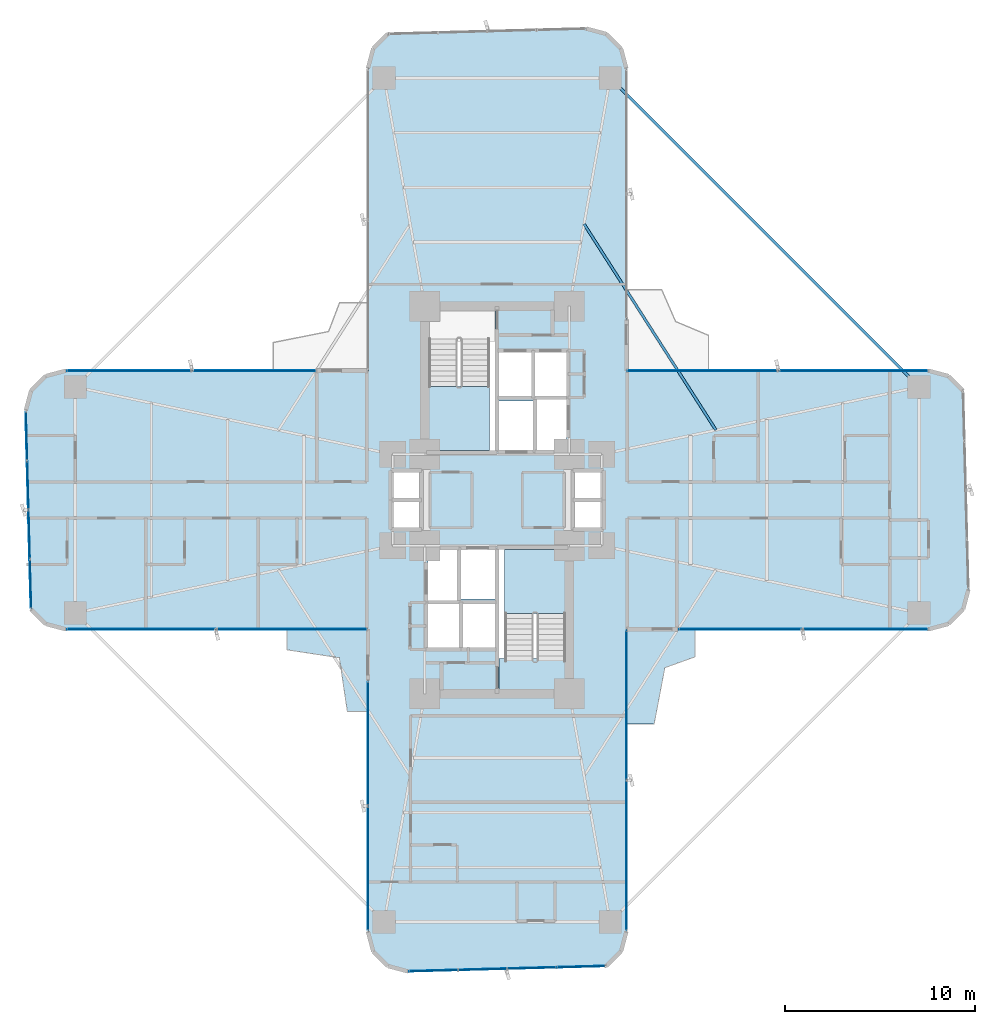
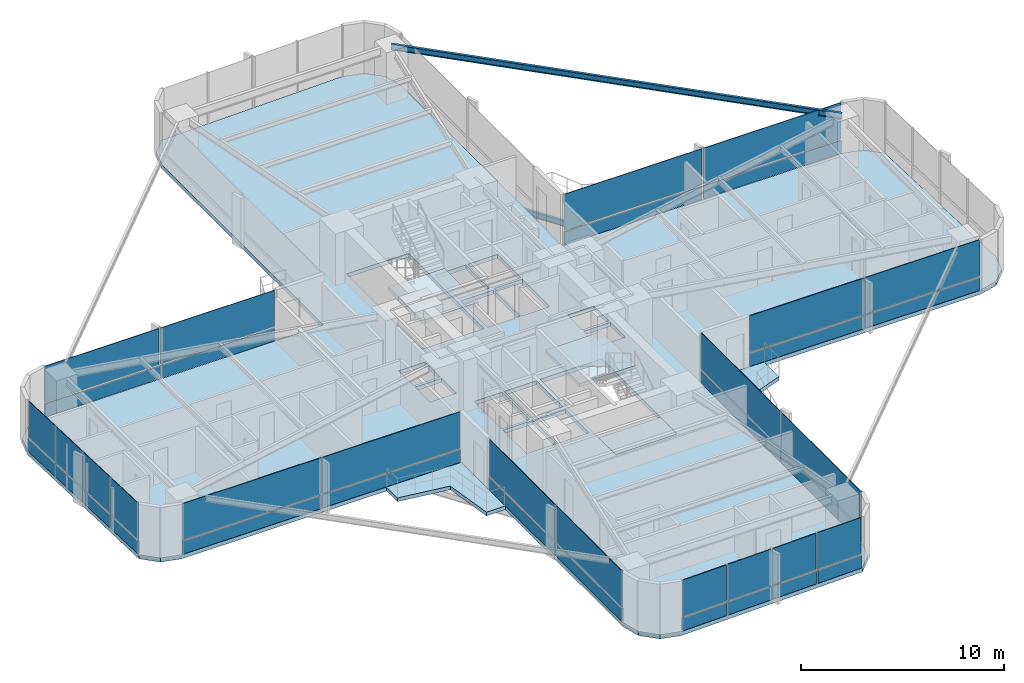
# One storey, part 20 of 25: 40 plates, 6 slabs, 2 beams, 10 elements without a shape of their own.
"""IFC4 building model written with IfcOpenShell, lengths in metres."""

from ifc_helpers import new_model, si_unit, direction, frame, origin, origin_2d, place, context, subcontext, project, spatial, polyline, rectangle, i_section, outline, extrude, source, transform, mapped, material, layer, layer_set, material_profile, profile_set, type_object, element, aggregate, save


model = new_model("IFC4")

# Units and contexts
model_context = context("Model", 3, precision=1e-05, world=origin(), true_north=direction((0.0, 1.0)))
body_context = subcontext(model_context, "Body", "Model", "MODEL_VIEW")
ifc_project = project(units=[si_unit("LENGTHUNIT", "METRE"), si_unit("AREAUNIT", "SQUARE_METRE"), si_unit("VOLUMEUNIT", "CUBIC_METRE"), si_unit("PLANEANGLEUNIT", "RADIAN"), si_unit("MASSUNIT", "GRAM", prefix="KILO")], contexts=[model_context])

# Site, building, storey
site_placement = place(None, origin())
site = spatial("IfcSite", under=ifc_project, at=site_placement, CompositionType="ELEMENT")
building_placement = place(site_placement, origin())
building = spatial("IfcBuilding", under=site, at=building_placement, Name="Sahyath Konkavel Grand Hotel", CompositionType="ELEMENT")
storey_placement = place(building_placement, frame((0.0, 0.0, 33.14990234375)))
storey = spatial("IfcBuildingStorey", under=building, at=storey_placement, Name="L08", CompositionType="ELEMENT", Elevation=33.14990234375)

# Beams
ifc_material_1 = material(Name="Steel E350", Category="steel")
ifc_material_profile_1 = material_profile(ifc_material_1, i_section(OverallWidth=0.139892578125, OverallDepth=0.35009765625, WebThickness=0.008056640625, FlangeThickness=0.01416015625, FilletRadius=0.013916015625, at=origin_2d()), Name="ISMB 350")
ifc_profile_set_1 = profile_set([ifc_material_profile_1], Name="Steel E350")
beam_type_1 = type_object("IfcBeamType", Name="BM-ISMB350", PredefinedType="BEAM", material=ifc_profile_set_1)
shared_shape_1 = source(origin(), body_context, "Body", "SweptSolid", [
    extrude(i_section(OverallWidth=0.139892578125, OverallDepth=0.35009765625, WebThickness=0.008056640625, FlangeThickness=0.01416015625, FilletRadius=0.013916015625, at=origin_2d()), origin(), (0.0, 0.0, 1.0), 22.98095703125),
])
beam_1_placement = place(storey_placement, frame((22.199951171875, 5.949951171875, 2.93505859375), z_axis=(-0.707106781187, 0.707106781187, 0.0), x_axis=(-0.707106781187, -0.707106781187, 0.0)))
element("IfcBeam", 1, at=beam_1_placement, inside=storey, type_object=beam_type_1, Name="L08 Re-Entrant Tie Beam NE", PredefinedType="BEAM", context=body_context, shape_type="MappedRepresentation", body=[
    mapped(shared_shape_1, transform((0.0, 0.0, 0.0), scale=1.0)),
])
ifc_material_profile_2 = material_profile(ifc_material_1, i_section(OverallWidth=0.139892578125, OverallDepth=0.35009765625, WebThickness=0.008056640625, FlangeThickness=0.01416015625, FilletRadius=0.013916015625, at=origin_2d()), Name="ISMB 350")
ifc_profile_set_2 = profile_set([ifc_material_profile_2], Name="Steel E350")
beam_type_2 = type_object("IfcBeamType", Name="BM-BALC-CANT", PredefinedType="BEAM", material=ifc_profile_set_2)
shared_shape_2 = source(origin(), body_context, "Body", "SweptSolid", [
    extrude(i_section(OverallWidth=0.139892578125, OverallDepth=0.35009765625, WebThickness=0.008056640625, FlangeThickness=0.01416015625, FilletRadius=0.013916015625, at=origin_2d()), origin(), (0.0, 0.0, 1.0), 12.871826171875),
])
beam_2_placement = place(storey_placement, frame((11.511962890625, 3.677978515625, -0.414794921875), z_axis=(-0.539003102535, 0.842303778608, 0.0), x_axis=(-0.842303778608, -0.539003102535, 0.0)))
element("IfcBeam", 2, at=beam_2_placement, inside=storey, type_object=beam_type_2, Name="L08 Balcony Cantilever Support Beam NE", PredefinedType="BEAM", context=body_context, shape_type="MappedRepresentation", body=[
    mapped(shared_shape_2, transform((0.0, 0.0, 0.0), scale=1.0)),
])

# Slabs
ifc_material_2 = material(Name="Concrete C40/50", Category="concrete")
ifc_layer_1 = layer(ifc_material_2, 0.239990234375)
ifc_layer_set_1 = layer_set([ifc_layer_1], Name="Concrete C40/50")
slab_type_1 = type_object("IfcSlabType", Name="SLB-240", PredefinedType="FLOOR", material=ifc_layer_set_1)
slab_1_placement = place(storey_placement, frame((0.0, 0.0, -0.239990234375)))
element("IfcSlab", 3, at=slab_1_placement, inside=storey, type_object=slab_type_1, Name="L08 Structural Floor Slab", PredefinedType="FLOOR", context=body_context, shape_type="SweptSolid", body=[
    extrude(outline(polyline([(6.800048828125, -6.800048828125), (22.699951171875, -6.800048828125), (23.75, -6.518798828125), (24.518798828125, -5.75), (24.800048828125, -4.699951171875), (24.518798828125, 5.75), (23.75, 6.518798828125), (22.699951171875, 6.800048828125), (6.800048828125, 6.800048828125), (6.800048828125, 22.699951171875), (6.518798828125, 23.75), (5.75, 24.518798828125), (4.699951171875, 24.800048828125), (-5.75, 24.518798828125), (-6.518798828125, 23.75), (-6.800048828125, 22.699951171875), (-6.800048828125, 6.800048828125), (-22.699951171875, 6.800048828125), (-23.75, 6.518798828125), (-24.518798828125, 5.75), (-24.800048828125, 4.699951171875), (-24.518798828125, -5.75), (-23.75, -6.518798828125), (-22.699951171875, -6.800048828125), (-6.800048828125, -6.800048828125), (-6.800048828125, -22.699951171875), (-6.518798828125, -23.75), (-5.75, -24.518798828125), (-4.699951171875, -24.800048828125), (5.75, -24.518798828125), (6.518798828125, -23.75), (6.800048828125, -22.699951171875), (6.800048828125, -6.800048828125)]), holes=[polyline([(-3.6201171875, 2.580078125), (-0.10009765625, 2.580078125), (-0.10009765625, 10.02001953125), (-3.6201171875, 10.02001953125), (-3.6201171875, 2.580078125)]), polyline([(0.10009765625, -10.02001953125), (3.6201171875, -10.02001953125), (3.6201171875, -2.580078125), (0.10009765625, -2.580078125), (0.10009765625, -10.02001953125)]), polyline([(0.10009765625, 2.60009765625), (1.949951171875, 2.60009765625), (1.949951171875, 5.199951171875), (0.10009765625, 5.199951171875), (0.10009765625, 2.60009765625)]), polyline([(-1.949951171875, -5.199951171875), (-0.10009765625, -5.199951171875), (-0.10009765625, -2.60009765625), (-1.949951171875, -2.60009765625), (-1.949951171875, -5.199951171875)]), polyline([(2.050048828125, 2.60009765625), (3.64990234375, 2.60009765625), (3.64990234375, 5.300048828125), (2.050048828125, 5.300048828125), (2.050048828125, 2.60009765625)]), polyline([(-3.64990234375, -5.300048828125), (-2.050048828125, -5.300048828125), (-2.050048828125, -2.60009765625), (-3.64990234375, -2.60009765625), (-3.64990234375, -5.300048828125)]), polyline([(0.10009765625, 5.449951171875), (1.85009765625, 5.449951171875), (1.85009765625, 7.75), (0.10009765625, 7.75), (0.10009765625, 5.449951171875)]), polyline([(1.949951171875, 5.449951171875), (3.64990234375, 5.449951171875), (3.64990234375, 7.75), (1.949951171875, 7.75), (1.949951171875, 5.449951171875)]), polyline([(-3.64990234375, -7.75), (-1.949951171875, -7.75), (-1.949951171875, -5.449951171875), (-3.64990234375, -5.449951171875), (-3.64990234375, -7.75)]), polyline([(-1.85009765625, -7.75), (-0.10009765625, -7.75), (-0.10009765625, -5.449951171875), (-1.85009765625, -5.449951171875), (-1.85009765625, -7.75)]), polyline([(4.050048828125, 0.080078125), (5.550048828125, 0.080078125), (5.550048828125, 1.5400390625), (4.050048828125, 1.5400390625), (4.050048828125, 0.080078125)]), polyline([(4.050048828125, -1.5400390625), (5.550048828125, -1.5400390625), (5.550048828125, -0.080078125), (4.050048828125, -0.080078125), (4.050048828125, -1.5400390625)]), polyline([(-5.550048828125, 0.080078125), (-4.050048828125, 0.080078125), (-4.050048828125, 1.5400390625), (-5.550048828125, 1.5400390625), (-5.550048828125, 0.080078125)]), polyline([(-5.550048828125, -1.5400390625), (-4.050048828125, -1.5400390625), (-4.050048828125, -0.080078125), (-5.550048828125, -0.080078125), (-5.550048828125, -1.5400390625)])]), origin(), (0.0, 0.0, 1.0), 0.239990234375),
])
ifc_layer_2 = layer(ifc_material_2, 0.219970703125)
ifc_layer_set_2 = layer_set([ifc_layer_2], Name="Concrete C40/50")
slab_type_2 = type_object("IfcSlabType", Name="SLB-BALCONY-220", PredefinedType="FLOOR", material=ifc_layer_set_2)
slab_2_placement = place(storey_placement, frame((0.0, 0.0, -0.219970703125)))
element("IfcSlab", 4, at=slab_2_placement, inside=storey, type_object=slab_type_2, Name="L08 Winter-Garden Balcony SW", PredefinedType="FLOOR", context=body_context, shape_type="SweptSolid", body=[
    extrude(outline(polyline([(-6.800048828125, -6.800048828125), (-11.06689453125, -6.800048828125), (-11.06689453125, -7.880615234375), (-8.301025390625, -8.301025390625), (-7.880615234375, -11.133056640625), (-6.800048828125, -11.133056640625), (-6.800048828125, -6.800048828125)])), origin(), (0.0, 0.0, 1.0), 0.219970703125),
])
slab_3_placement = place(storey_placement, frame((0.0, 0.0, -0.219970703125)))
element("IfcSlab", 5, at=slab_3_placement, inside=storey, type_object=slab_type_2, Name="L08 Winter-Garden Balcony SE", PredefinedType="FLOOR", context=body_context, shape_type="SweptSolid", body=[
    extrude(outline(polyline([(6.800048828125, -6.800048828125), (6.800048828125, -11.799072265625), (8.25732421875, -11.799072265625), (8.823974609375, -8.823974609375), (10.40087890625, -8.25732421875), (10.40087890625, -6.800048828125), (6.800048828125, -6.800048828125)])), origin(), (0.0, 0.0, 1.0), 0.219970703125),
])

# Stair, slab
stair_type = type_object("IfcStairType", Name="STR-ST16-335", PredefinedType="HALF_TURN_STAIR", material=ifc_material_2)
stair_1_placement = place(storey_placement, origin())
stair_1 = element("IfcStair", 6, at=stair_1_placement, inside=storey, type_object=stair_type, Name="L08 North Core Smokeproof Exit Stair ST-1", PredefinedType="HALF_TURN_STAIR")
ifc_layer_3 = layer(ifc_material_2, 0.199951171875)
ifc_layer_set_3 = layer_set([ifc_layer_3], Name="Concrete C40/50")
slab_type_3 = type_object("IfcSlabType", Name="SLB-STAIR-LND", PredefinedType="LANDING", material=ifc_layer_set_3)
slab_4_placement = place(storey_placement, frame((0.0, 0.0, 1.47509765625)))
slab_4 = element("IfcSlab", 7, at=slab_4_placement, type_object=slab_type_3, Name="ST-1 landing 1", PredefinedType="LANDING", context=body_context, shape_type="SweptSolid", body=[
    extrude(outline(polyline([(-3.60009765625, 5.9599609375), (-3.60009765625, 2.60009765625), (-0.39990234375, 2.60009765625), (-0.39990234375, 5.9599609375), (-3.60009765625, 5.9599609375)])), origin(), (0.0, 0.0, 1.0), 0.199951171875),
])
aggregate(stair_1, [slab_4])

stair_2_placement = place(storey_placement, origin())
stair_2 = element("IfcStair", 8, at=stair_2_placement, inside=storey, type_object=stair_type, Name="L08 South Core Smokeproof Exit Stair ST-2", PredefinedType="HALF_TURN_STAIR")
slab_5_placement = place(storey_placement, frame((0.0, 0.0, 1.47509765625)))
slab_5 = element("IfcSlab", 9, at=slab_5_placement, type_object=slab_type_3, Name="ST-2 landing 1", PredefinedType="LANDING", context=body_context, shape_type="SweptSolid", body=[
    extrude(outline(polyline([(3.60009765625, -5.9599609375), (3.60009765625, -2.60009765625), (0.39990234375, -2.60009765625), (0.39990234375, -5.9599609375), (3.60009765625, -5.9599609375)])), origin(), (0.0, 0.0, 1.0), 0.199951171875),
])
aggregate(stair_2, [slab_5])

# Slab
slab_6_placement = place(storey_placement, frame((0.0, 0.0, -0.199951171875)))
element("IfcSlab", 10, at=slab_6_placement, inside=storey, type_object=slab_type_3, Name="L08 Stair ST-2 Floor Landing Slab", PredefinedType="LANDING", context=body_context, shape_type="SweptSolid", body=[
    extrude(outline(polyline([(0.10009765625, -10.02001953125), (3.6201171875, -10.02001953125), (3.6201171875, -8.35009765625), (0.10009765625, -8.35009765625), (0.10009765625, -10.02001953125)])), origin(), (0.0, 0.0, 1.0), 0.199951171875),
])

# Curtain wall, plates
ifc_material_3 = material(Name="Anodised Bronze Aluminium & Low-E Glazing", Category="aluminium")
curtain_wall_type = type_object("IfcCurtainWallType", Name="CW-ZONE1", PredefinedType="NOTDEFINED", material=ifc_material_3)
curtain_wall_1_placement = place(storey_placement, origin())
curtain_wall_1 = element("IfcCurtainWall", 11, at=curtain_wall_1_placement, inside=storey, type_object=curtain_wall_type, Name="L08 Unitised Curtain Wall F7", PredefinedType="NOTDEFINED")
ifc_material_4 = material(Name="Warm Buff Sandstone Cladding", Category="masonry")
ifc_layer_4 = layer(ifc_material_4, 0.074951171875)
ifc_layer_set_4 = layer_set([ifc_layer_4], Name="Warm Buff Sandstone Cladding")
plate_type_1 = type_object("IfcPlateType", Name="PNL-SPANDREL-STONE", PredefinedType="SHEET", material=ifc_layer_set_4)
shared_shape_3 = source(origin(), body_context, "Body", "SweptSolid", [
    extrude(rectangle(XDim=7.830078125, YDim=0.074951171875, at=origin_2d()), origin(), (0.0, 0.0, 1.0), 0.77001953125),
])
plate_1_placement = place(storey_placement, frame((18.705078125, 6.800048828125, 0.0400390625), z_axis=(0.0, 0.0, 1.0), x_axis=(-1.0, 0.0, 0.0)))
plate_1 = element("IfcPlate", 12, at=plate_1_placement, type_object=plate_type_1, Name="L08 Sandstone Relief Spandrel Panel F7-0", PredefinedType="SHEET", context=body_context, shape_type="MappedRepresentation", body=[
    mapped(shared_shape_3, transform((0.0, 0.0, 0.0), scale=1.0)),
])
plate_2_placement = place(storey_placement, frame((10.794921875, 6.800048828125, 0.0400390625), z_axis=(0.0, 0.0, 1.0), x_axis=(-1.0, 0.0, 0.0)))
plate_2 = element("IfcPlate", 13, at=plate_2_placement, type_object=plate_type_1, Name="L08 Sandstone Relief Spandrel Panel F7-1", PredefinedType="SHEET", context=body_context, shape_type="MappedRepresentation", body=[
    mapped(shared_shape_3, transform((0.0, 0.0, 0.0), scale=1.0)),
])

curtain_wall_2_placement = place(storey_placement, origin())
curtain_wall_2 = element("IfcCurtainWall", 14, at=curtain_wall_2_placement, inside=storey, type_object=curtain_wall_type, Name="L08 Unitised Curtain Wall F23", PredefinedType="NOTDEFINED")
plate_3_placement = place(storey_placement, frame((-18.705078125, -6.800048828125, 0.0400390625), z_axis=(0.0, 0.0, 1.0), x_axis=(1.0, 0.0, 0.0)))
plate_3 = element("IfcPlate", 15, at=plate_3_placement, type_object=plate_type_1, Name="L08 Sandstone Relief Spandrel Panel F23-0", PredefinedType="SHEET", context=body_context, shape_type="MappedRepresentation", body=[
    mapped(shared_shape_3, transform((0.0, 0.0, 0.0), scale=1.0)),
])
plate_4_placement = place(storey_placement, frame((-10.794921875, -6.800048828125, 0.0400390625), z_axis=(0.0, 0.0, 1.0), x_axis=(1.0, 0.0, 0.0)))
plate_4 = element("IfcPlate", 16, at=plate_4_placement, type_object=plate_type_1, Name="L08 Sandstone Relief Spandrel Panel F23-1", PredefinedType="SHEET", context=body_context, shape_type="MappedRepresentation", body=[
    mapped(shared_shape_3, transform((0.0, 0.0, 0.0), scale=1.0)),
])

curtain_wall_3_placement = place(storey_placement, origin())
curtain_wall_3 = element("IfcCurtainWall", 17, at=curtain_wall_3_placement, inside=storey, type_object=curtain_wall_type, Name="L08 Unitised Curtain Wall F31", PredefinedType="NOTDEFINED")
plate_5_placement = place(storey_placement, frame((6.800048828125, -18.705078125, 0.0400390625), z_axis=(0.0, 0.0, 1.0), x_axis=(0.0, 1.0, 0.0)))
plate_5 = element("IfcPlate", 18, at=plate_5_placement, type_object=plate_type_1, Name="L08 Sandstone Relief Spandrel Panel F31-0", PredefinedType="SHEET", context=body_context, shape_type="MappedRepresentation", body=[
    mapped(shared_shape_3, transform((0.0, 0.0, 0.0), scale=1.0)),
])
plate_6_placement = place(storey_placement, frame((6.800048828125, -10.794921875, 0.0400390625), z_axis=(0.0, 0.0, 1.0), x_axis=(0.0, 1.0, 0.0)))
plate_6 = element("IfcPlate", 19, at=plate_6_placement, type_object=plate_type_1, Name="L08 Sandstone Relief Spandrel Panel F31-1", PredefinedType="SHEET", context=body_context, shape_type="MappedRepresentation", body=[
    mapped(shared_shape_3, transform((0.0, 0.0, 0.0), scale=1.0)),
])

# Plate
ifc_material_5 = material(Name="Low-E Solar Control Double Glazing", Category="glass")
ifc_layer_5 = layer(ifc_material_5, 0.035888671875)
ifc_layer_set_5 = layer_set([ifc_layer_5], Name="Low-E Solar Control Double Glazing")
plate_type_2 = type_object("IfcPlateType", Name="PNL-VISION-LOWE", PredefinedType="CURTAIN_PANEL", material=ifc_layer_set_5)
shared_shape_4 = source(origin(), body_context, "Body", "SweptSolid", [
    extrude(rectangle(XDim=7.830078125, YDim=0.035888671875, at=origin_2d()), origin(), (0.0, 0.0, 1.0), 2.179931640625),
])
plate_7_placement = place(storey_placement, frame((18.705078125, 6.800048828125, 0.89013671875), z_axis=(0.0, 0.0, 1.0), x_axis=(-1.0, 0.0, 0.0)))
plate_7 = element("IfcPlate", 20, at=plate_7_placement, type_object=plate_type_2, Name="L08 Low-E Vision Glazing Panel F7-0", PredefinedType="CURTAIN_PANEL", context=body_context, shape_type="MappedRepresentation", body=[
    mapped(shared_shape_4, transform((0.0, 0.0, 0.0), scale=1.0)),
])

plate_8_placement = place(storey_placement, frame((10.794921875, 6.800048828125, 0.89013671875), z_axis=(0.0, 0.0, 1.0), x_axis=(-1.0, 0.0, 0.0)))
plate_8 = element("IfcPlate", 21, at=plate_8_placement, type_object=plate_type_2, Name="L08 Low-E Vision Glazing Panel F7-1", PredefinedType="CURTAIN_PANEL", context=body_context, shape_type="MappedRepresentation", body=[
    mapped(shared_shape_4, transform((0.0, 0.0, 0.0), scale=1.0)),
])

aggregate(curtain_wall_1, [plate_1, plate_7, plate_2, plate_8])

plate_9_placement = place(storey_placement, frame((-18.705078125, -6.800048828125, 0.89013671875), z_axis=(0.0, 0.0, 1.0), x_axis=(1.0, 0.0, 0.0)))
plate_9 = element("IfcPlate", 22, at=plate_9_placement, type_object=plate_type_2, Name="L08 Low-E Vision Glazing Panel F23-0", PredefinedType="CURTAIN_PANEL", context=body_context, shape_type="MappedRepresentation", body=[
    mapped(shared_shape_4, transform((0.0, 0.0, 0.0), scale=1.0)),
])

plate_10_placement = place(storey_placement, frame((-10.794921875, -6.800048828125, 0.89013671875), z_axis=(0.0, 0.0, 1.0), x_axis=(1.0, 0.0, 0.0)))
plate_10 = element("IfcPlate", 23, at=plate_10_placement, type_object=plate_type_2, Name="L08 Low-E Vision Glazing Panel F23-1", PredefinedType="CURTAIN_PANEL", context=body_context, shape_type="MappedRepresentation", body=[
    mapped(shared_shape_4, transform((0.0, 0.0, 0.0), scale=1.0)),
])

aggregate(curtain_wall_2, [plate_3, plate_9, plate_4, plate_10])

plate_11_placement = place(storey_placement, frame((6.800048828125, -18.705078125, 0.89013671875), z_axis=(0.0, 0.0, 1.0), x_axis=(0.0, 1.0, 0.0)))
plate_11 = element("IfcPlate", 24, at=plate_11_placement, type_object=plate_type_2, Name="L08 Low-E Vision Glazing Panel F31-0", PredefinedType="CURTAIN_PANEL", context=body_context, shape_type="MappedRepresentation", body=[
    mapped(shared_shape_4, transform((0.0, 0.0, 0.0), scale=1.0)),
])

plate_12_placement = place(storey_placement, frame((6.800048828125, -10.794921875, 0.89013671875), z_axis=(0.0, 0.0, 1.0), x_axis=(0.0, 1.0, 0.0)))
plate_12 = element("IfcPlate", 25, at=plate_12_placement, type_object=plate_type_2, Name="L08 Low-E Vision Glazing Panel F31-1", PredefinedType="CURTAIN_PANEL", context=body_context, shape_type="MappedRepresentation", body=[
    mapped(shared_shape_4, transform((0.0, 0.0, 0.0), scale=1.0)),
])

aggregate(curtain_wall_3, [plate_5, plate_11, plate_6, plate_12])

# Curtain wall, plates
curtain_wall_4_placement = place(storey_placement, origin())
curtain_wall_4 = element("IfcCurtainWall", 26, at=curtain_wall_4_placement, inside=storey, type_object=curtain_wall_type, Name="L08 Unitised Curtain Wall F20", PredefinedType="NOTDEFINED")
shared_shape_5 = source(origin(), body_context, "Body", "SweptSolid", [
    extrude(rectangle(XDim=2.513427734375, YDim=0.074951171875, at=origin_2d()), origin(), (0.0, 0.0, 1.0), 0.77001953125),
])
plate_13_placement = place(storey_placement, frame((-24.763916015625, 3.36376953125, 0.0400390625), z_axis=(0.0, 0.0, 1.0), x_axis=(0.026909728301, -0.999637867691, 0.0)))
plate_13 = element("IfcPlate", 27, at=plate_13_placement, type_object=plate_type_1, Name="L08 Sandstone Relief Spandrel Panel F20-0", PredefinedType="SHEET", context=body_context, shape_type="MappedRepresentation", body=[
    mapped(shared_shape_5, transform((0.0, 0.0, 0.0), scale=1.0)),
])
plate_14_placement = place(storey_placement, frame((-24.694091796875, 0.771240234375, 0.0400390625), z_axis=(0.0, 0.0, 1.0), x_axis=(0.026909728301, -0.999637867691, 0.0)))
plate_14 = element("IfcPlate", 28, at=plate_14_placement, type_object=plate_type_1, Name="L08 Sandstone Relief Spandrel Panel F20-1", PredefinedType="SHEET", context=body_context, shape_type="MappedRepresentation", body=[
    mapped(shared_shape_5, transform((0.0, 0.0, 0.0), scale=1.0)),
])
plate_15_placement = place(storey_placement, frame((-24.62451171875, -1.8212890625, 0.0400390625), z_axis=(0.0, 0.0, 1.0), x_axis=(0.026909728301, -0.999637867691, 0.0)))
plate_15 = element("IfcPlate", 29, at=plate_15_placement, type_object=plate_type_1, Name="L08 Sandstone Relief Spandrel Panel F20-2", PredefinedType="SHEET", context=body_context, shape_type="MappedRepresentation", body=[
    mapped(shared_shape_5, transform((0.0, 0.0, 0.0), scale=1.0)),
])
plate_16_placement = place(storey_placement, frame((-24.5546875, -4.413818359375, 0.0400390625), z_axis=(0.0, 0.0, 1.0), x_axis=(0.026909728301, -0.999637867691, 0.0)))
plate_16 = element("IfcPlate", 30, at=plate_16_placement, type_object=plate_type_1, Name="L08 Sandstone Relief Spandrel Panel F20-3", PredefinedType="SHEET", context=body_context, shape_type="MappedRepresentation", body=[
    mapped(shared_shape_5, transform((0.0, 0.0, 0.0), scale=1.0)),
])

curtain_wall_5_placement = place(storey_placement, origin())
curtain_wall_5 = element("IfcCurtainWall", 31, at=curtain_wall_5_placement, inside=storey, type_object=curtain_wall_type, Name="L08 Unitised Curtain Wall F28", PredefinedType="NOTDEFINED")
plate_17_placement = place(storey_placement, frame((-3.36376953125, -24.763916015625, 0.0400390625), z_axis=(0.0, 0.0, 1.0), x_axis=(0.999637867691, 0.026909728301, 0.0)))
plate_17 = element("IfcPlate", 32, at=plate_17_placement, type_object=plate_type_1, Name="L08 Sandstone Relief Spandrel Panel F28-0", PredefinedType="SHEET", context=body_context, shape_type="MappedRepresentation", body=[
    mapped(shared_shape_5, transform((0.0, 0.0, 0.0), scale=1.0)),
])
plate_18_placement = place(storey_placement, frame((-0.771240234375, -24.694091796875, 0.0400390625), z_axis=(0.0, 0.0, 1.0), x_axis=(0.999637867691, 0.026909728301, 0.0)))
plate_18 = element("IfcPlate", 33, at=plate_18_placement, type_object=plate_type_1, Name="L08 Sandstone Relief Spandrel Panel F28-1", PredefinedType="SHEET", context=body_context, shape_type="MappedRepresentation", body=[
    mapped(shared_shape_5, transform((0.0, 0.0, 0.0), scale=1.0)),
])
plate_19_placement = place(storey_placement, frame((1.8212890625, -24.62451171875, 0.0400390625), z_axis=(0.0, 0.0, 1.0), x_axis=(0.999637867691, 0.026909728301, 0.0)))
plate_19 = element("IfcPlate", 34, at=plate_19_placement, type_object=plate_type_1, Name="L08 Sandstone Relief Spandrel Panel F28-2", PredefinedType="SHEET", context=body_context, shape_type="MappedRepresentation", body=[
    mapped(shared_shape_5, transform((0.0, 0.0, 0.0), scale=1.0)),
])
plate_20_placement = place(storey_placement, frame((4.413818359375, -24.5546875, 0.0400390625), z_axis=(0.0, 0.0, 1.0), x_axis=(0.999637867691, 0.026909728301, 0.0)))
plate_20 = element("IfcPlate", 35, at=plate_20_placement, type_object=plate_type_1, Name="L08 Sandstone Relief Spandrel Panel F28-3", PredefinedType="SHEET", context=body_context, shape_type="MappedRepresentation", body=[
    mapped(shared_shape_5, transform((0.0, 0.0, 0.0), scale=1.0)),
])

# Plate
shared_shape_6 = source(origin(), body_context, "Body", "SweptSolid", [
    extrude(rectangle(XDim=2.513427734375, YDim=0.035888671875, at=origin_2d()), origin(), (0.0, 0.0, 1.0), 2.179931640625),
])
plate_21_placement = place(storey_placement, frame((-24.763916015625, 3.36376953125, 0.89013671875), z_axis=(0.0, 0.0, 1.0), x_axis=(0.026909728301, -0.999637867691, 0.0)))
plate_21 = element("IfcPlate", 36, at=plate_21_placement, type_object=plate_type_2, Name="L08 Low-E Vision Glazing Panel F20-0", PredefinedType="CURTAIN_PANEL", context=body_context, shape_type="MappedRepresentation", body=[
    mapped(shared_shape_6, transform((0.0, 0.0, 0.0), scale=1.0)),
])

plate_22_placement = place(storey_placement, frame((-24.694091796875, 0.771240234375, 0.89013671875), z_axis=(0.0, 0.0, 1.0), x_axis=(0.026909728301, -0.999637867691, 0.0)))
plate_22 = element("IfcPlate", 37, at=plate_22_placement, type_object=plate_type_2, Name="L08 Low-E Vision Glazing Panel F20-1", PredefinedType="CURTAIN_PANEL", context=body_context, shape_type="MappedRepresentation", body=[
    mapped(shared_shape_6, transform((0.0, 0.0, 0.0), scale=1.0)),
])

plate_23_placement = place(storey_placement, frame((-24.62451171875, -1.8212890625, 0.89013671875), z_axis=(0.0, 0.0, 1.0), x_axis=(0.026909728301, -0.999637867691, 0.0)))
plate_23 = element("IfcPlate", 38, at=plate_23_placement, type_object=plate_type_2, Name="L08 Low-E Vision Glazing Panel F20-2", PredefinedType="CURTAIN_PANEL", context=body_context, shape_type="MappedRepresentation", body=[
    mapped(shared_shape_6, transform((0.0, 0.0, 0.0), scale=1.0)),
])

plate_24_placement = place(storey_placement, frame((-24.5546875, -4.413818359375, 0.89013671875), z_axis=(0.0, 0.0, 1.0), x_axis=(0.026909728301, -0.999637867691, 0.0)))
plate_24 = element("IfcPlate", 39, at=plate_24_placement, type_object=plate_type_2, Name="L08 Low-E Vision Glazing Panel F20-3", PredefinedType="CURTAIN_PANEL", context=body_context, shape_type="MappedRepresentation", body=[
    mapped(shared_shape_6, transform((0.0, 0.0, 0.0), scale=1.0)),
])

aggregate(curtain_wall_4, [plate_13, plate_21, plate_14, plate_22, plate_15, plate_23, plate_16, plate_24])

plate_25_placement = place(storey_placement, frame((-3.36376953125, -24.763916015625, 0.89013671875), z_axis=(0.0, 0.0, 1.0), x_axis=(0.999637867691, 0.026909728301, 0.0)))
plate_25 = element("IfcPlate", 40, at=plate_25_placement, type_object=plate_type_2, Name="L08 Low-E Vision Glazing Panel F28-0", PredefinedType="CURTAIN_PANEL", context=body_context, shape_type="MappedRepresentation", body=[
    mapped(shared_shape_6, transform((0.0, 0.0, 0.0), scale=1.0)),
])

plate_26_placement = place(storey_placement, frame((-0.771240234375, -24.694091796875, 0.89013671875), z_axis=(0.0, 0.0, 1.0), x_axis=(0.999637867691, 0.026909728301, 0.0)))
plate_26 = element("IfcPlate", 41, at=plate_26_placement, type_object=plate_type_2, Name="L08 Low-E Vision Glazing Panel F28-1", PredefinedType="CURTAIN_PANEL", context=body_context, shape_type="MappedRepresentation", body=[
    mapped(shared_shape_6, transform((0.0, 0.0, 0.0), scale=1.0)),
])

plate_27_placement = place(storey_placement, frame((1.8212890625, -24.62451171875, 0.89013671875), z_axis=(0.0, 0.0, 1.0), x_axis=(0.999637867691, 0.026909728301, 0.0)))
plate_27 = element("IfcPlate", 42, at=plate_27_placement, type_object=plate_type_2, Name="L08 Low-E Vision Glazing Panel F28-2", PredefinedType="CURTAIN_PANEL", context=body_context, shape_type="MappedRepresentation", body=[
    mapped(shared_shape_6, transform((0.0, 0.0, 0.0), scale=1.0)),
])

plate_28_placement = place(storey_placement, frame((4.413818359375, -24.5546875, 0.89013671875), z_axis=(0.0, 0.0, 1.0), x_axis=(0.999637867691, 0.026909728301, 0.0)))
plate_28 = element("IfcPlate", 43, at=plate_28_placement, type_object=plate_type_2, Name="L08 Low-E Vision Glazing Panel F28-3", PredefinedType="CURTAIN_PANEL", context=body_context, shape_type="MappedRepresentation", body=[
    mapped(shared_shape_6, transform((0.0, 0.0, 0.0), scale=1.0)),
])

aggregate(curtain_wall_5, [plate_17, plate_25, plate_18, plate_26, plate_19, plate_27, plate_20, plate_28])

# Curtain wall, plates
curtain_wall_6_placement = place(storey_placement, origin())
curtain_wall_6 = element("IfcCurtainWall", 44, at=curtain_wall_6_placement, inside=storey, type_object=curtain_wall_type, Name="L08 Unitised Curtain Wall F0", PredefinedType="NOTDEFINED")
shared_shape_7 = source(origin(), body_context, "Body", "SweptSolid", [
    extrude(rectangle(XDim=6.47998046875, YDim=0.074951171875, at=origin_2d()), origin(), (0.0, 0.0, 1.0), 0.77001953125),
])
plate_29_placement = place(storey_placement, frame((12.820068359375, -6.800048828125, 0.0400390625), z_axis=(0.0, 0.0, 1.0), x_axis=(1.0, 0.0, 0.0)))
plate_29 = element("IfcPlate", 45, at=plate_29_placement, type_object=plate_type_1, Name="L08 Sandstone Relief Spandrel Panel F0-0", PredefinedType="SHEET", context=body_context, shape_type="MappedRepresentation", body=[
    mapped(shared_shape_7, transform((0.0, 0.0, 0.0), scale=1.0)),
])
plate_30_placement = place(storey_placement, frame((19.3798828125, -6.800048828125, 0.0400390625), z_axis=(0.0, 0.0, 1.0), x_axis=(1.0, 0.0, 0.0)))
plate_30 = element("IfcPlate", 46, at=plate_30_placement, type_object=plate_type_1, Name="L08 Sandstone Relief Spandrel Panel F0-1", PredefinedType="SHEET", context=body_context, shape_type="MappedRepresentation", body=[
    mapped(shared_shape_7, transform((0.0, 0.0, 0.0), scale=1.0)),
])

curtain_wall_7_placement = place(storey_placement, origin())
curtain_wall_7 = element("IfcCurtainWall", 47, at=curtain_wall_7_placement, inside=storey, type_object=curtain_wall_type, Name="L08 Unitised Curtain Wall F16", PredefinedType="NOTDEFINED")
plate_31_placement = place(storey_placement, frame((-12.820068359375, 6.800048828125, 0.0400390625), z_axis=(0.0, 0.0, 1.0), x_axis=(-1.0, 0.0, 0.0)))
plate_31 = element("IfcPlate", 48, at=plate_31_placement, type_object=plate_type_1, Name="L08 Sandstone Relief Spandrel Panel F16-0", PredefinedType="SHEET", context=body_context, shape_type="MappedRepresentation", body=[
    mapped(shared_shape_7, transform((0.0, 0.0, 0.0), scale=1.0)),
])
plate_32_placement = place(storey_placement, frame((-19.3798828125, 6.800048828125, 0.0400390625), z_axis=(0.0, 0.0, 1.0), x_axis=(-1.0, 0.0, 0.0)))
plate_32 = element("IfcPlate", 49, at=plate_32_placement, type_object=plate_type_1, Name="L08 Sandstone Relief Spandrel Panel F16-1", PredefinedType="SHEET", context=body_context, shape_type="MappedRepresentation", body=[
    mapped(shared_shape_7, transform((0.0, 0.0, 0.0), scale=1.0)),
])

curtain_wall_8_placement = place(storey_placement, origin())
curtain_wall_8 = element("IfcCurtainWall", 50, at=curtain_wall_8_placement, inside=storey, type_object=curtain_wall_type, Name="L08 Unitised Curtain Wall F24", PredefinedType="NOTDEFINED")
plate_33_placement = place(storey_placement, frame((-6.800048828125, -12.820068359375, 0.0400390625), z_axis=(0.0, 0.0, 1.0), x_axis=(0.0, -1.0, 0.0)))
plate_33 = element("IfcPlate", 51, at=plate_33_placement, type_object=plate_type_1, Name="L08 Sandstone Relief Spandrel Panel F24-0", PredefinedType="SHEET", context=body_context, shape_type="MappedRepresentation", body=[
    mapped(shared_shape_7, transform((0.0, 0.0, 0.0), scale=1.0)),
])
plate_34_placement = place(storey_placement, frame((-6.800048828125, -19.3798828125, 0.0400390625), z_axis=(0.0, 0.0, 1.0), x_axis=(0.0, -1.0, 0.0)))
plate_34 = element("IfcPlate", 52, at=plate_34_placement, type_object=plate_type_1, Name="L08 Sandstone Relief Spandrel Panel F24-1", PredefinedType="SHEET", context=body_context, shape_type="MappedRepresentation", body=[
    mapped(shared_shape_7, transform((0.0, 0.0, 0.0), scale=1.0)),
])

# Plate
shared_shape_8 = source(origin(), body_context, "Body", "SweptSolid", [
    extrude(rectangle(XDim=6.47998046875, YDim=0.035888671875, at=origin_2d()), origin(), (0.0, 0.0, 1.0), 2.179931640625),
])
plate_35_placement = place(storey_placement, frame((12.820068359375, -6.800048828125, 0.89013671875), z_axis=(0.0, 0.0, 1.0), x_axis=(1.0, 0.0, 0.0)))
plate_35 = element("IfcPlate", 53, at=plate_35_placement, type_object=plate_type_2, Name="L08 Low-E Vision Glazing Panel F0-0", PredefinedType="CURTAIN_PANEL", context=body_context, shape_type="MappedRepresentation", body=[
    mapped(shared_shape_8, transform((0.0, 0.0, 0.0), scale=1.0)),
])

plate_36_placement = place(storey_placement, frame((19.3798828125, -6.800048828125, 0.89013671875), z_axis=(0.0, 0.0, 1.0), x_axis=(1.0, 0.0, 0.0)))
plate_36 = element("IfcPlate", 54, at=plate_36_placement, type_object=plate_type_2, Name="L08 Low-E Vision Glazing Panel F0-1", PredefinedType="CURTAIN_PANEL", context=body_context, shape_type="MappedRepresentation", body=[
    mapped(shared_shape_8, transform((0.0, 0.0, 0.0), scale=1.0)),
])

aggregate(curtain_wall_6, [plate_29, plate_35, plate_30, plate_36])

plate_37_placement = place(storey_placement, frame((-12.820068359375, 6.800048828125, 0.89013671875), z_axis=(0.0, 0.0, 1.0), x_axis=(-1.0, 0.0, 0.0)))
plate_37 = element("IfcPlate", 55, at=plate_37_placement, type_object=plate_type_2, Name="L08 Low-E Vision Glazing Panel F16-0", PredefinedType="CURTAIN_PANEL", context=body_context, shape_type="MappedRepresentation", body=[
    mapped(shared_shape_8, transform((0.0, 0.0, 0.0), scale=1.0)),
])

plate_38_placement = place(storey_placement, frame((-19.3798828125, 6.800048828125, 0.89013671875), z_axis=(0.0, 0.0, 1.0), x_axis=(-1.0, 0.0, 0.0)))
plate_38 = element("IfcPlate", 56, at=plate_38_placement, type_object=plate_type_2, Name="L08 Low-E Vision Glazing Panel F16-1", PredefinedType="CURTAIN_PANEL", context=body_context, shape_type="MappedRepresentation", body=[
    mapped(shared_shape_8, transform((0.0, 0.0, 0.0), scale=1.0)),
])

aggregate(curtain_wall_7, [plate_31, plate_37, plate_32, plate_38])

plate_39_placement = place(storey_placement, frame((-6.800048828125, -12.820068359375, 0.89013671875), z_axis=(0.0, 0.0, 1.0), x_axis=(0.0, -1.0, 0.0)))
plate_39 = element("IfcPlate", 57, at=plate_39_placement, type_object=plate_type_2, Name="L08 Low-E Vision Glazing Panel F24-0", PredefinedType="CURTAIN_PANEL", context=body_context, shape_type="MappedRepresentation", body=[
    mapped(shared_shape_8, transform((0.0, 0.0, 0.0), scale=1.0)),
])

plate_40_placement = place(storey_placement, frame((-6.800048828125, -19.3798828125, 0.89013671875), z_axis=(0.0, 0.0, 1.0), x_axis=(0.0, -1.0, 0.0)))
plate_40 = element("IfcPlate", 58, at=plate_40_placement, type_object=plate_type_2, Name="L08 Low-E Vision Glazing Panel F24-1", PredefinedType="CURTAIN_PANEL", context=body_context, shape_type="MappedRepresentation", body=[
    mapped(shared_shape_8, transform((0.0, 0.0, 0.0), scale=1.0)),
])

aggregate(curtain_wall_8, [plate_33, plate_39, plate_34, plate_40])

save(model, "model.ifc")
